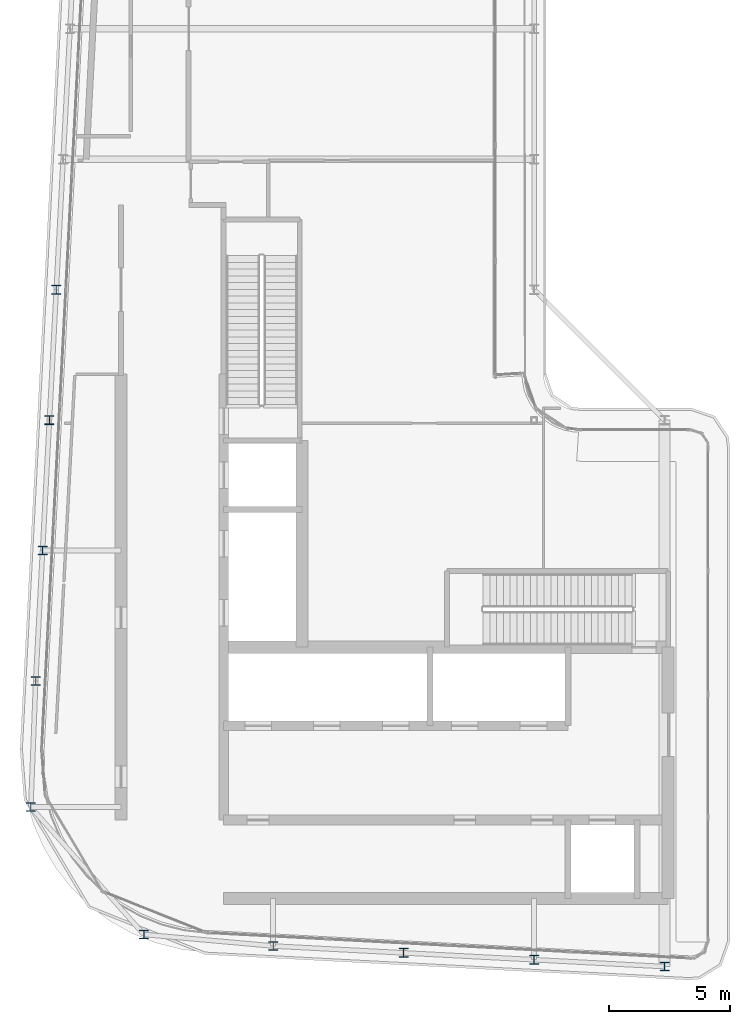
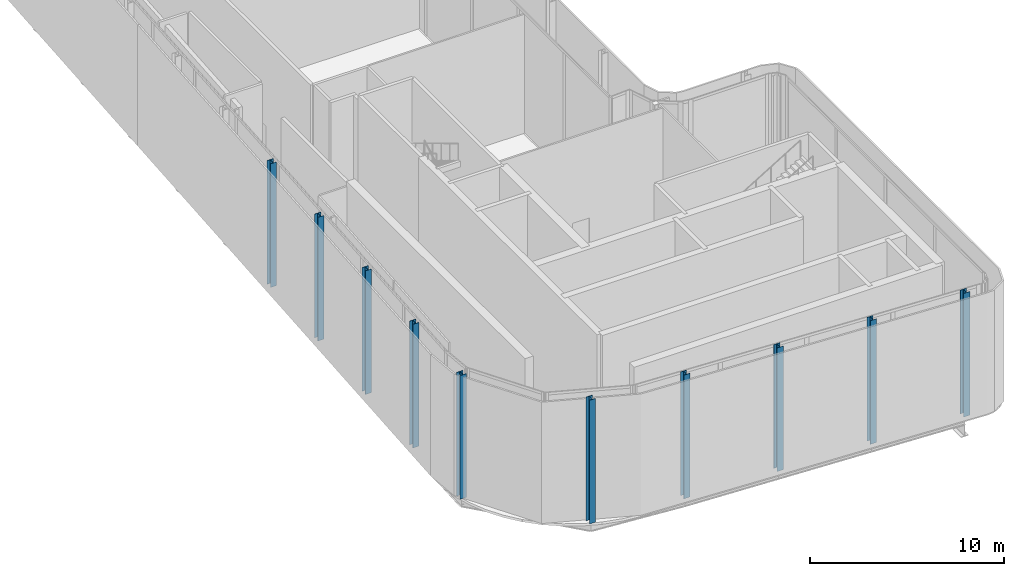
# One storey, part 1 of 23: 10 columns.
"""IFC4 building model written with IfcOpenShell, lengths in metres."""

from ifc_helpers import new_model, si_unit, direction, frame, origin, origin_2d, place, context, subcontext, project, spatial, i_section, extrude, material, material_profile, profile_set, type_object, element, save


model = new_model("IFC4")

# Units and contexts
model_context = context("Model", 3, precision=1e-05, world=origin(), true_north=direction((0.0, 1.0)))
body_context = subcontext(model_context, "Body", "Model", "MODEL_VIEW")
ifc_project = project(units=[si_unit("LENGTHUNIT", "METRE"), si_unit("AREAUNIT", "SQUARE_METRE"), si_unit("VOLUMEUNIT", "CUBIC_METRE"), si_unit("PLANEANGLEUNIT", "RADIAN"), si_unit("MASSUNIT", "GRAM", prefix="KILO")], contexts=[model_context])

# Site, building, storey
site_placement = place(None, origin())
site = spatial("IfcSite", under=ifc_project, at=site_placement, CompositionType="ELEMENT")
building_placement = place(site_placement, origin())
building = spatial("IfcBuilding", under=site, at=building_placement, Name="Kheshtan School and Residences Tower", CompositionType="ELEMENT")
storey_placement = place(building_placement, frame((0.0, 0.0, 389.0)))
storey = spatial("IfcBuildingStorey", under=building, at=storey_placement, Name="L92", CompositionType="ELEMENT", Elevation=389.0)

# Columns
ifc_material = material(Name="Steel ASTM A992 Grade 50", Category="steel")
ifc_material_profile = material_profile(ifc_material, i_section(OverallWidth=0.37109375, OverallDepth=0.364013671875, WebThickness=0.01318359375, FlangeThickness=0.021728515625, FilletRadius=0.010986328125, at=origin_2d()), Name="W360x162")
ifc_profile_set = profile_set([ifc_material_profile], Name="Steel ASTM A992 Grade 50")
column_type = type_object("IfcColumnType", Name="Column C6 W360x162 ASTM A992 Grade 50", PredefinedType="COLUMN", material=ifc_profile_set)
for number, where, z_axis, x_axis, name in (
    (1, (53.0, 22.97998046875, 0.0), (0.0, 0.0, 1.0), (1.0, 0.0, 0.0), "Column C019"),
    (2, (47.60009765625, 23.263916015625, 0.0), (0.0, 0.0, 1.0), (1.0, 0.0, 0.0), "Column C020"),
    (3, (42.199951171875, 23.548095703125, 0.0), (0.0, 0.0, 1.0), (1.0, 0.0, 0.0), "Column C021"),
    (4, (36.800048828125, 23.83203125, 0.0), (0.0, 0.0, 1.0), (1.0, 0.0, 0.0), "Column C022"),
    (5, (31.447021484375, 24.31005859375, 0.0), (0.0, 0.0, 1.0), (1.0, 0.0, 0.0), "Column C034"),
    (6, (26.76708984375, 29.58203125, 0.0), (0.0, 0.0, 1.0), (1.0, 0.0, 0.0), "Column C048"),
    (7, (26.968994140625, 34.800048828125, 0.0), (0.0, 0.0, 1.0), (1.0, 0.0, 0.0), "Column C052"),
    (8, (27.2529296875, 40.199951171875, 0.0), (0.0, 0.0, 1.0), (1.0, 0.0, 0.0), "Column C056"),
    (9, (27.537109375, 45.60009765625, 0.0), (0.0, 0.0, 1.0), (1.0, 0.0, 0.0), "Column C059"),
    (10, (27.822021484375, 51.0, 0.0), (0.0, 0.0, 1.0), (1.0, 0.0, 0.0), "Column C078"),
):
    element("IfcColumn", number, at=place(storey_placement, frame(where, z_axis=z_axis, x_axis=x_axis)), inside=storey, type_object=column_type, Name=name, PredefinedType="COLUMN", context=body_context, shape_type="SweptSolid", body=[
        extrude(i_section(OverallWidth=0.37109375, OverallDepth=0.364013671875, WebThickness=0.01318359375, FlangeThickness=0.021728515625, FilletRadius=0.010986328125, at=origin_2d()), origin(), (0.0, 0.0, 1.0), 7.800048828125),
    ])

save(model, "model.ifc")
